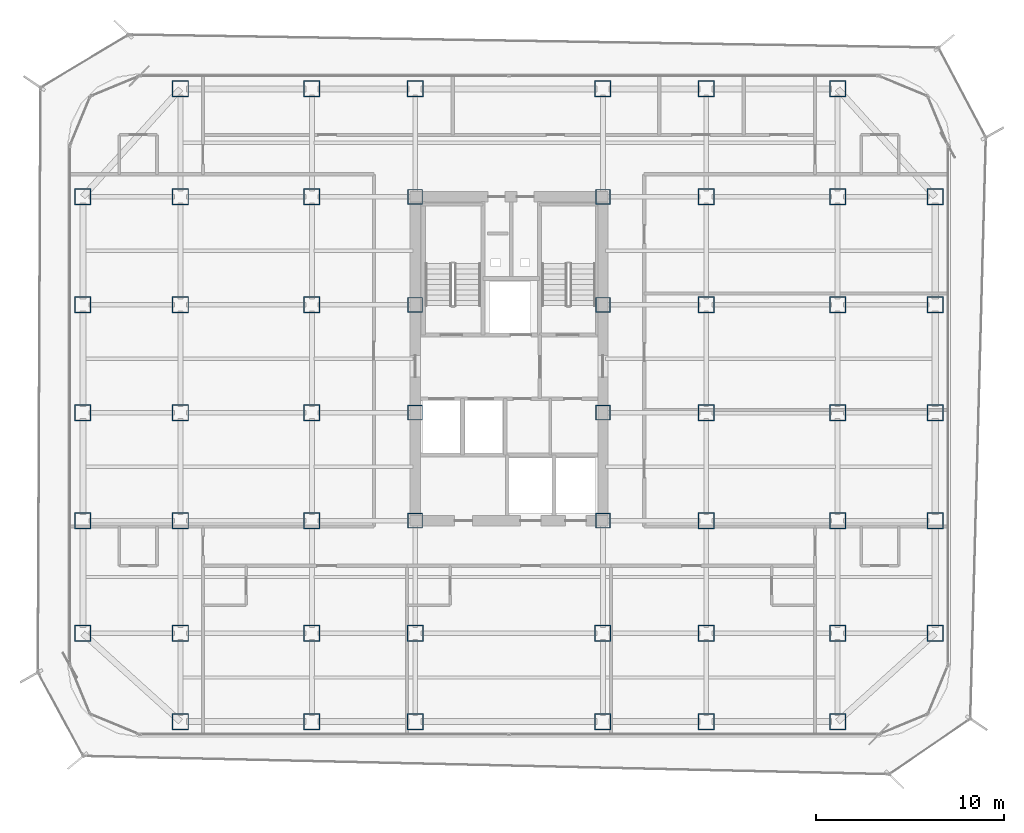
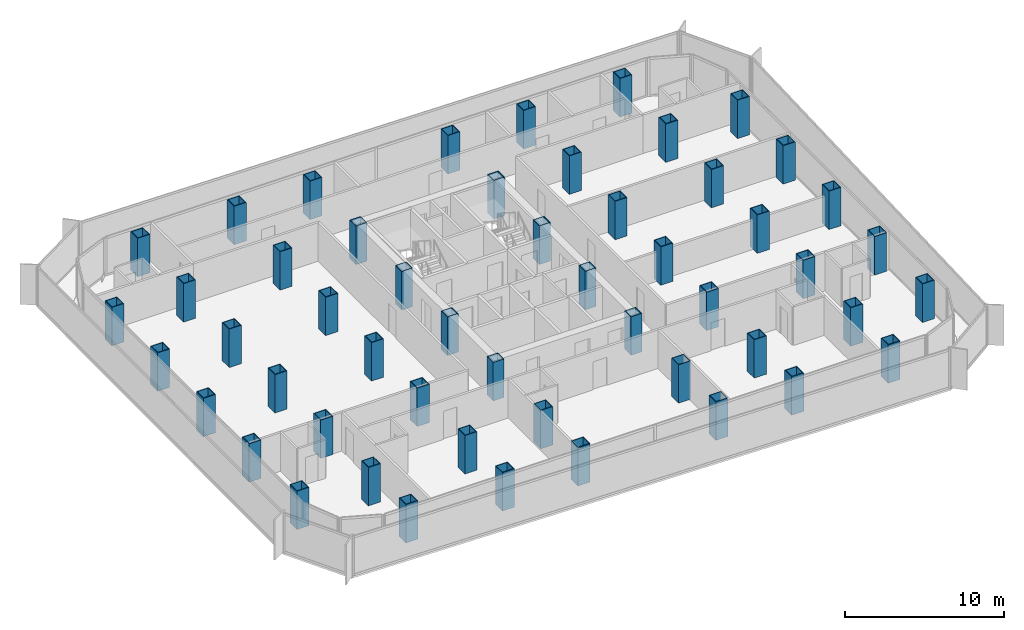
# One storey, part 1 of 21: 52 columns.
"""IFC4 building model written with IfcOpenShell, lengths in metres."""

import ifcopenshell
import ifcopenshell.guid

model = None  # the IFC model being written
_history = None  # IfcOwnerHistory: only IFC2X3 demands one
_inside = {}  # id of a spatial element -> (the spatial element, [elements in it])
_under = {}  # id of a project, library or spatial element -> (it, [spatial elements below it])
_declared = {}  # id of a project -> (the project, [libraries it declares])
_typed = {}  # id of a type object -> (the type object, [elements of that type])
_made_of = {}  # id of a material, layer set ... -> (it, [elements and type objects made of it])


def new_model(schema):
    """Start an empty IFC model of exactly this schema.

    Asked for "IFC4X3", IfcOpenShell would pick the latest addendum, in which some entities
    have other attributes; the version numbers below select the first issue.
    IFC2X3 requires an IfcOwnerHistory on every rooted entity: one is made here for all.
    """
    global model, _history
    if schema == "IFC4X3":
        model = ifcopenshell.file(schema_version=(4, 3, 0, 0))
    else:
        model = ifcopenshell.file(schema=schema)
    _inside.clear()
    _under.clear()
    _declared.clear()
    _typed.clear()
    _made_of.clear()
    _history = None
    if model.schema == "IFC2X3":
        org = make("IfcOrganization", Name="unknown")
        user = make(
            "IfcPersonAndOrganization",
            ThePerson=make("IfcPerson", FamilyName="unknown"),
            TheOrganization=org,
        )
        app = make(
            "IfcApplication",
            ApplicationDeveloper=org,
            Version="unknown",
            ApplicationFullName="unknown",
            ApplicationIdentifier="unknown",
        )
        _history = make(
            "IfcOwnerHistory",
            OwningUser=user,
            OwningApplication=app,
            ChangeAction="ADDED",
            CreationDate=0,
        )
    return model


def make(cls, **values):
    """One entity of the class cls with the attributes given. An attribute that is None is left unset."""
    return model.create_entity(
        cls, **{name: value for name, value in values.items() if value is not None}
    )


def rooted(cls, **values):
    """An entity with a GlobalId (a new one), such as an element, a storey or a relation."""
    return make(cls, GlobalId=ifcopenshell.guid.new(), OwnerHistory=_history, **values)


def si_unit(unit_type, name, prefix=None):
    """IfcSIUnit, for example si_unit("LENGTHUNIT", "METRE", prefix="MILLI")."""
    return make("IfcSIUnit", UnitType=unit_type, Prefix=prefix, Name=name)


def assignment(units):
    """IfcUnitAssignment: the units of a project."""
    return None if units is None else make("IfcUnitAssignment", Units=units)


def point(xyz):
    """IfcCartesianPoint."""
    return None if xyz is None else make("IfcCartesianPoint", Coordinates=xyz)


def direction(xyz):
    """IfcDirection."""
    return None if xyz is None else make("IfcDirection", DirectionRatios=xyz)


def frame(location, z_axis=None, x_axis=None):
    """IfcAxis2Placement3D, a coordinate frame: its origin and axes. An axis left out is left unset."""
    return make(
        "IfcAxis2Placement3D",
        Location=point(location),
        Axis=direction(z_axis),
        RefDirection=direction(x_axis),
    )


def frame_2d(location, x_axis=None):
    """IfcAxis2Placement2D, a coordinate frame in the plane: its origin and x axis."""
    return make(
        "IfcAxis2Placement2D", Location=point(location), RefDirection=direction(x_axis)
    )


def origin():
    """The frame at (0, 0, 0) with its axes left unset."""
    return frame((0.0, 0.0, 0.0))


def origin_2d():
    """The frame at (0, 0) in the plane with its x axis left unset."""
    return frame_2d((0.0, 0.0))


def place(relative_to, where):
    """IfcLocalPlacement: puts the frame where relative to a parent placement (None: the world)."""
    return make(
        "IfcLocalPlacement", PlacementRelTo=relative_to, RelativePlacement=where
    )


def context(
    kind, dimensions, precision=None, world=None, true_north=None, identifier=None
):
    """IfcGeometricRepresentationContext, for example the 3D "Model" context."""
    return make(
        "IfcGeometricRepresentationContext",
        ContextIdentifier=identifier,
        ContextType=kind,
        CoordinateSpaceDimension=dimensions,
        Precision=precision,
        WorldCoordinateSystem=world,
        TrueNorth=true_north,
    )


def subcontext(parent, identifier, kind, view, scale=None):
    """IfcGeometricRepresentationSubContext, for example "Body" below "Model"."""
    return make(
        "IfcGeometricRepresentationSubContext",
        ContextIdentifier=identifier,
        ContextType=kind,
        ParentContext=parent,
        TargetScale=scale,
        TargetView=view,
    )


def project(units=None, contexts=None):
    """IfcProject with its units and contexts."""
    return rooted(
        "IfcProject",
        Name="project",
        RepresentationContexts=contexts,
        UnitsInContext=assignment(units),
    )


def spatial(cls, under=None, at=None, **own):
    """A site, building, storey or space (cls), placed at a placement, below another one or the project."""
    s = rooted(cls, ObjectPlacement=at, **own)
    if under is not None:
        _under.setdefault(under.id(), (under, []))[1].append(s)
    return s


def profile(cls, at=None, kind="AREA", **sizes):
    """A parametric profile (cls). Its sizes go by their IFC names, for example OverallWidth=200.0."""
    return make(cls, ProfileType=kind, Position=at, **sizes)


def hollow_rectangle(**sizes):
    """IfcRectangleHollowProfileDef."""
    return profile("IfcRectangleHollowProfileDef", **sizes)


def extrude(swept, where, along, depth):
    """IfcExtrudedAreaSolid: the profile swept, set in the frame where, extruded along a direction by depth."""
    return make(
        "IfcExtrudedAreaSolid",
        SweptArea=swept,
        Position=where,
        ExtrudedDirection=direction(along),
        Depth=depth,
    )


def shape(context_of_items, identifier, shape_type, items):
    """IfcShapeRepresentation: the items that make up one representation, for example the "Body"."""
    return make(
        "IfcShapeRepresentation",
        ContextOfItems=context_of_items,
        RepresentationIdentifier=identifier,
        RepresentationType=shape_type,
        Items=items,
    )


def source(mapping_origin, context_of_items, identifier, shape_type, items):
    """IfcRepresentationMap: a shape defined once, which mapped items show again and again."""
    return make(
        "IfcRepresentationMap",
        MappingOrigin=mapping_origin,
        MappedRepresentation=shape(context_of_items, identifier, shape_type, items),
    )


def transform(
    local_origin,
    x_axis=None,
    y_axis=None,
    z_axis=None,
    scale=None,
    scale2=None,
    scale3=None,
    uniform=True,
):
    """IfcCartesianTransformationOperator3D, or its non-uniform kind. x_axis, y_axis, z_axis: its Axis1, 2, 3."""
    if uniform:
        return make(
            "IfcCartesianTransformationOperator3D",
            Axis1=direction(x_axis),
            Axis2=direction(y_axis),
            LocalOrigin=point(local_origin),
            Scale=scale,
            Axis3=direction(z_axis),
        )
    return make(
        "IfcCartesianTransformationOperator3DnonUniform",
        Axis1=direction(x_axis),
        Axis2=direction(y_axis),
        LocalOrigin=point(local_origin),
        Scale=scale,
        Axis3=direction(z_axis),
        Scale2=scale2,
        Scale3=scale3,
    )


def mapped(mapping_source, mapping_target):
    """IfcMappedItem: shows the shape of a source again, moved by a transform."""
    return make(
        "IfcMappedItem", MappingSource=mapping_source, MappingTarget=mapping_target
    )


def material(Name=None, Category=None):
    """IfcMaterial."""
    return make("IfcMaterial", Name=Name, Category=Category)


def material_profile(
    of_material, cross_section, Name=None, Category=None, Priority=None
):
    """IfcMaterialProfile: a cross section and its material."""
    return make(
        "IfcMaterialProfile",
        Name=Name,
        Material=of_material,
        Profile=cross_section,
        Priority=Priority,
        Category=Category,
    )


def profile_set(profiles, Name=None, composite=None):
    """IfcMaterialProfileSet."""
    return make(
        "IfcMaterialProfileSet",
        Name=Name,
        MaterialProfiles=profiles,
        CompositeProfile=composite,
    )


def made_of(thing, what):
    """Note that an element or type object is made of a material, layer set ...; save() writes the relation."""
    if what is not None:
        _made_of.setdefault(what.id(), (what, []))[1].append(thing)
    return thing


def type_object(cls, material=None, **own):
    """A type object (cls), such as IfcWallType, which elements share."""
    return made_of(rooted(cls, **own), material)


def element(
    cls,
    number,
    at=None,
    inside=None,
    cuts=None,
    type_object=None,
    material=None,
    context=None,
    identifier="Body",
    shape_type=None,
    held_by="IfcProductDefinitionShape",
    body=None,
    shapes=None,
    **own,
):
    """One element of the class cls, such as IfcWall. Its Tag is "e" and its number.

    at: its placement. inside: the storey or other place that contains it. cuts: it is an
    opening in that element (IfcRelVoidsElement). A single representation is given by context,
    identifier, shape_type and body (its items); several are given by shapes. held_by: the class
    of the entity that holds the representations. save() writes the other relations.
    """
    e = rooted(cls, Tag="e%d" % number, ObjectPlacement=at, **own)
    if body is not None:
        shapes = [shape(context, identifier, shape_type, body)]
    if shapes is not None:
        e.Representation = make(held_by, Representations=shapes)
    if inside is not None:
        _inside.setdefault(inside.id(), (inside, []))[1].append(e)
    if cuts is not None:
        rooted(
            "IfcRelVoidsElement", RelatingBuildingElement=cuts, RelatedOpeningElement=e
        )
    if type_object is not None:
        _typed.setdefault(type_object.id(), (type_object, []))[1].append(e)
    return made_of(e, material)


def aggregate(whole, parts):
    """IfcRelAggregates: a whole, such as a stair, and the parts it consists of."""
    return rooted("IfcRelAggregates", RelatingObject=whole, RelatedObjects=parts)


def save(model, path):
    """Write the relations noted so far, then the file.

    IfcRelAggregates (storeys below a building ...), IfcRelContainedInSpatialStructure (elements
    in a storey), IfcRelDefinesByType, IfcRelAssociatesMaterial and IfcRelDeclares: one each for
    every whole, place, type object, material and project.
    """
    for whole, parts in _under.values():
        aggregate(whole, parts)
    for where, things in _inside.values():
        rooted(
            "IfcRelContainedInSpatialStructure",
            RelatedElements=things,
            RelatingStructure=where,
        )
    for kind, things in _typed.values():
        rooted("IfcRelDefinesByType", RelatedObjects=things, RelatingType=kind)
    for what, things in _made_of.values():
        rooted("IfcRelAssociatesMaterial", RelatedObjects=things, RelatingMaterial=what)
    for by, libraries in _declared.values():
        rooted("IfcRelDeclares", RelatingContext=by, RelatedDefinitions=libraries)
    model.write(path)


model = new_model("IFC4")

# Units and contexts
model_context = context("Model", 3, precision=1e-05, world=origin(), true_north=direction((0.0, 1.0)))
body_context = subcontext(model_context, "Body", "Model", "MODEL_VIEW")
ifc_project = project(units=[si_unit("LENGTHUNIT", "METRE"), si_unit("AREAUNIT", "SQUARE_METRE"), si_unit("VOLUMEUNIT", "CUBIC_METRE"), si_unit("PLANEANGLEUNIT", "RADIAN"), si_unit("MASSUNIT", "GRAM", prefix="KILO")], contexts=[model_context])

# Site, building, storey
site_placement = place(None, origin())
site = spatial("IfcSite", under=ifc_project, at=site_placement, CompositionType="ELEMENT")
building_placement = place(site_placement, origin())
building = spatial("IfcBuilding", under=site, at=building_placement, Name="Kolveth Station Tower", CompositionType="ELEMENT")
storey_placement = place(building_placement, frame((0.0, 0.0, 118.300048828125)))
storey = spatial("IfcBuildingStorey", under=building, at=storey_placement, Name="L32", CompositionType="ELEMENT", Elevation=118.300048828125)

# Columns
ifc_material_1 = material(Name="Steel S460", Category="steel")
ifc_material_profile_1 = material_profile(ifc_material_1, hollow_rectangle(XDim=0.8798828125, YDim=0.8798828125, WallThickness=0.050048828125, at=origin_2d()), Name="BOX880x880x50")
ifc_profile_set_1 = profile_set([ifc_material_profile_1], Name="Steel S460")
column_type_1 = type_object("IfcColumnType", Name="Col_C4", PredefinedType="COLUMN", material=ifc_profile_set_1)
shared_shape_1 = source(origin(), body_context, "Body", "SweptSolid", [
    extrude(hollow_rectangle(XDim=0.8798828125, YDim=0.8798828125, WallThickness=0.050048828125, at=origin_2d()), origin(), (0.0, 0.0, 1.0), 2.949951171875),
])
for number, where, z_axis, x_axis, name in (
    (1, (6.0, 0.800048828125, 0.0), (0.0, 0.0, 1.0), (1.0, 0.0, 0.0), "L32 Tower Column S-X60"),
    (2, (6.0, 34.5, 0.0), (0.0, 0.0, 1.0), (1.0, 0.0, 0.0), "L32 Tower Column N-X60"),
    (3, (13.0, 0.800048828125, 0.0), (0.0, 0.0, 1.0), (1.0, 0.0, 0.0), "L32 Tower Column S-X130"),
    (4, (13.0, 34.5, 0.0), (0.0, 0.0, 1.0), (1.0, 0.0, 0.0), "L32 Tower Column N-X130"),
    (5, (18.5, 0.800048828125, 0.0), (0.0, 0.0, 1.0), (1.0, 0.0, 0.0), "L32 Tower Column S-X185"),
    (6, (18.5, 34.5, 0.0), (0.0, 0.0, 1.0), (1.0, 0.0, 0.0), "L32 Tower Column N-X185"),
    (7, (28.5, 0.800048828125, 0.0), (0.0, 0.0, 1.0), (1.0, 0.0, 0.0), "L32 Tower Column S-X285"),
    (8, (28.5, 34.5, 0.0), (0.0, 0.0, 1.0), (1.0, 0.0, 0.0), "L32 Tower Column N-X285"),
    (9, (34.0, 0.800048828125, 0.0), (0.0, 0.0, 1.0), (1.0, 0.0, 0.0), "L32 Tower Column S-X340"),
    (10, (34.0, 34.5, 0.0), (0.0, 0.0, 1.0), (1.0, 0.0, 0.0), "L32 Tower Column N-X340"),
    (11, (41.0, 0.800048828125, 0.0), (0.0, 0.0, 1.0), (1.0, 0.0, 0.0), "L32 Tower Column S-X410"),
    (12, (41.0, 34.5, 0.0), (0.0, 0.0, 1.0), (1.0, 0.0, 0.0), "L32 Tower Column N-X410"),
    (13, (0.800048828125, 5.5, 0.0), (0.0, 0.0, 1.0), (1.0, 0.0, 0.0), "L32 Tower Column W-Y55"),
    (14, (46.199951171875, 5.5, 0.0), (0.0, 0.0, 1.0), (1.0, 0.0, 0.0), "L32 Tower Column E-Y55"),
    (15, (0.800048828125, 11.5, 0.0), (0.0, 0.0, 1.0), (1.0, 0.0, 0.0), "L32 Tower Column W-Y115"),
    (16, (46.199951171875, 11.5, 0.0), (0.0, 0.0, 1.0), (1.0, 0.0, 0.0), "L32 Tower Column E-Y115"),
    (17, (0.800048828125, 17.25, 0.0), (0.0, 0.0, 1.0), (1.0, 0.0, 0.0), "L32 Tower Column W-Y172"),
    (18, (46.199951171875, 17.25, 0.0), (0.0, 0.0, 1.0), (1.0, 0.0, 0.0), "L32 Tower Column E-Y172"),
    (19, (0.800048828125, 23.0, 0.0), (0.0, 0.0, 1.0), (1.0, 0.0, 0.0), "L32 Tower Column W-Y230"),
    (20, (46.199951171875, 23.0, 0.0), (0.0, 0.0, 1.0), (1.0, 0.0, 0.0), "L32 Tower Column E-Y230"),
    (21, (0.800048828125, 28.75, 0.0), (0.0, 0.0, 1.0), (1.0, 0.0, 0.0), "L32 Tower Column W-Y287"),
    (22, (46.199951171875, 28.75, 0.0), (0.0, 0.0, 1.0), (1.0, 0.0, 0.0), "L32 Tower Column E-Y287"),
    (23, (6.0, 5.5, 0.0), (0.0, 0.0, 1.0), (1.0, 0.0, 0.0), "L32 Tower Column G-60-55"),
    (24, (6.0, 11.5, 0.0), (0.0, 0.0, 1.0), (1.0, 0.0, 0.0), "L32 Tower Column G-60-115"),
    (25, (6.0, 17.25, 0.0), (0.0, 0.0, 1.0), (1.0, 0.0, 0.0), "L32 Tower Column G-60-172"),
    (26, (6.0, 23.0, 0.0), (0.0, 0.0, 1.0), (1.0, 0.0, 0.0), "L32 Tower Column G-60-230"),
    (27, (6.0, 28.75, 0.0), (0.0, 0.0, 1.0), (1.0, 0.0, 0.0), "L32 Tower Column G-60-287"),
    (28, (13.0, 5.5, 0.0), (0.0, 0.0, 1.0), (1.0, 0.0, 0.0), "L32 Tower Column G-130-55"),
    (29, (13.0, 11.5, 0.0), (0.0, 0.0, 1.0), (1.0, 0.0, 0.0), "L32 Tower Column G-130-115"),
    (30, (13.0, 17.25, 0.0), (0.0, 0.0, 1.0), (1.0, 0.0, 0.0), "L32 Tower Column G-130-172"),
    (31, (13.0, 23.0, 0.0), (0.0, 0.0, 1.0), (1.0, 0.0, 0.0), "L32 Tower Column G-130-230"),
    (32, (13.0, 28.75, 0.0), (0.0, 0.0, 1.0), (1.0, 0.0, 0.0), "L32 Tower Column G-130-287"),
    (33, (18.5, 5.5, 0.0), (0.0, 0.0, 1.0), (1.0, 0.0, 0.0), "L32 Tower Column G-185-55"),
    (34, (28.5, 5.5, 0.0), (0.0, 0.0, 1.0), (1.0, 0.0, 0.0), "L32 Tower Column G-285-55"),
    (35, (34.0, 5.5, 0.0), (0.0, 0.0, 1.0), (1.0, 0.0, 0.0), "L32 Tower Column G-340-55"),
    (36, (34.0, 11.5, 0.0), (0.0, 0.0, 1.0), (1.0, 0.0, 0.0), "L32 Tower Column G-340-115"),
    (37, (34.0, 17.25, 0.0), (0.0, 0.0, 1.0), (1.0, 0.0, 0.0), "L32 Tower Column G-340-172"),
    (38, (34.0, 23.0, 0.0), (0.0, 0.0, 1.0), (1.0, 0.0, 0.0), "L32 Tower Column G-340-230"),
    (39, (34.0, 28.75, 0.0), (0.0, 0.0, 1.0), (1.0, 0.0, 0.0), "L32 Tower Column G-340-287"),
    (40, (41.0, 5.5, 0.0), (0.0, 0.0, 1.0), (1.0, 0.0, 0.0), "L32 Tower Column G-410-55"),
    (41, (41.0, 11.5, 0.0), (0.0, 0.0, 1.0), (1.0, 0.0, 0.0), "L32 Tower Column G-410-115"),
    (42, (41.0, 17.25, 0.0), (0.0, 0.0, 1.0), (1.0, 0.0, 0.0), "L32 Tower Column G-410-172"),
    (43, (41.0, 23.0, 0.0), (0.0, 0.0, 1.0), (1.0, 0.0, 0.0), "L32 Tower Column G-410-230"),
    (44, (41.0, 28.75, 0.0), (0.0, 0.0, 1.0), (1.0, 0.0, 0.0), "L32 Tower Column G-410-287"),
):
    element("IfcColumn", number, at=place(storey_placement, frame(where, z_axis=z_axis, x_axis=x_axis)), inside=storey, type_object=column_type_1, Name=name, PredefinedType="COLUMN", context=body_context, shape_type="MappedRepresentation", body=[
        mapped(shared_shape_1, transform((0.0, 0.0, 0.0), x_axis=(1.0, 0.0, 0.0), y_axis=(0.0, 1.0, 0.0), z_axis=(0.0, 0.0, 1.0), scale=1.0)),
    ])
ifc_material_2 = material(Name="Steel S355", Category="steel")
ifc_material_profile_2 = material_profile(ifc_material_2, hollow_rectangle(XDim=0.800048828125, YDim=0.800048828125, WallThickness=0.044921875, at=origin_2d()), Name="BOX800x800x45")
ifc_profile_set_2 = profile_set([ifc_material_profile_2], Name="Steel S355")
column_type_2 = type_object("IfcColumnType", Name="Col_C5", PredefinedType="COLUMN", material=ifc_profile_set_2)
shared_shape_2 = source(origin(), body_context, "Body", "SweptSolid", [
    extrude(hollow_rectangle(XDim=0.800048828125, YDim=0.800048828125, WallThickness=0.044921875, at=origin_2d()), origin(), (0.0, 0.0, 1.0), 2.949951171875),
])
for number, where, z_axis, x_axis, name in (
    (45, (18.5, 11.5, 0.0), (0.0, 0.0, 1.0), (1.0, 0.0, 0.0), "L32 Tower Column G-185-115"),
    (46, (18.5, 17.25, 0.0), (0.0, 0.0, 1.0), (1.0, 0.0, 0.0), "L32 Tower Column G-185-172"),
    (47, (18.5, 23.0, 0.0), (0.0, 0.0, 1.0), (1.0, 0.0, 0.0), "L32 Tower Column G-185-230"),
    (48, (18.5, 28.75, 0.0), (0.0, 0.0, 1.0), (1.0, 0.0, 0.0), "L32 Tower Column G-185-287"),
    (49, (28.5, 11.5, 0.0), (0.0, 0.0, 1.0), (1.0, 0.0, 0.0), "L32 Tower Column G-285-115"),
    (50, (28.5, 17.25, 0.0), (0.0, 0.0, 1.0), (1.0, 0.0, 0.0), "L32 Tower Column G-285-172"),
    (51, (28.5, 23.0, 0.0), (0.0, 0.0, 1.0), (1.0, 0.0, 0.0), "L32 Tower Column G-285-230"),
    (52, (28.5, 28.75, 0.0), (0.0, 0.0, 1.0), (1.0, 0.0, 0.0), "L32 Tower Column G-285-287"),
):
    element("IfcColumn", number, at=place(storey_placement, frame(where, z_axis=z_axis, x_axis=x_axis)), inside=storey, type_object=column_type_2, Name=name, PredefinedType="COLUMN", context=body_context, shape_type="MappedRepresentation", body=[
        mapped(shared_shape_2, transform((0.0, 0.0, 0.0), x_axis=(1.0, 0.0, 0.0), y_axis=(0.0, 1.0, 0.0), z_axis=(0.0, 0.0, 1.0), scale=1.0)),
    ])

save(model, "model.ifc")
